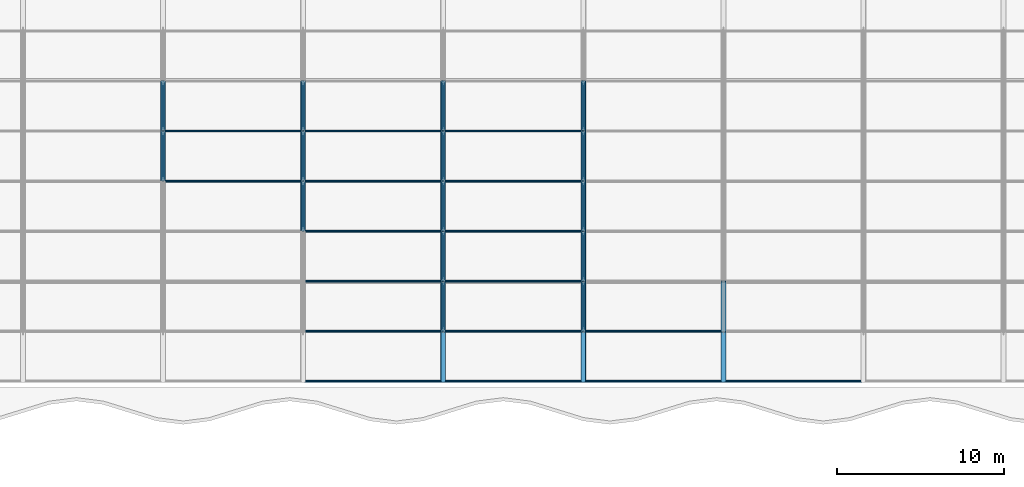
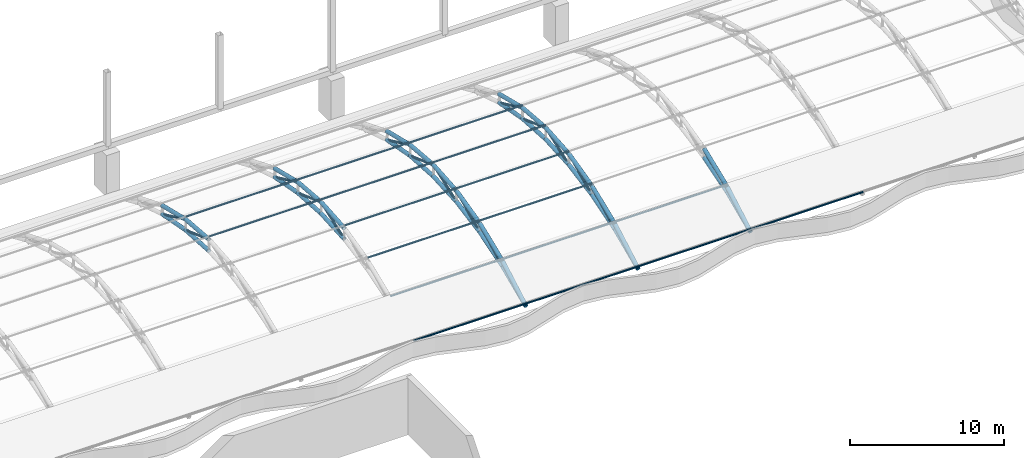
# One storey, part 52 of 163: 70 members.
"""IFC4 building model written with IfcOpenShell, lengths in metres."""

from ifc_helpers import new_model, si_unit, direction, frame, origin, origin_2d, place, context, subcontext, project, spatial, hollow_circle, extrude, material, material_profile, profile_set, type_object, element, save


model = new_model("IFC4")

# Units and contexts
model_context = context("Model", 3, precision=1e-05, world=origin(), true_north=direction((0.0, 1.0)))
body_context = subcontext(model_context, "Body", "Model", "MODEL_VIEW")
ifc_project = project(units=[si_unit("LENGTHUNIT", "METRE"), si_unit("AREAUNIT", "SQUARE_METRE"), si_unit("VOLUMEUNIT", "CUBIC_METRE"), si_unit("PLANEANGLEUNIT", "RADIAN"), si_unit("MASSUNIT", "GRAM", prefix="KILO")], contexts=[model_context])

# Site, building, storey
site_placement = place(None, origin())
site = spatial("IfcSite", under=ifc_project, at=site_placement, CompositionType="ELEMENT")
building_placement = place(site_placement, origin())
building = spatial("IfcBuilding", under=site, at=building_placement, Name="Rain Tree Exposition and Congress Centre", CompositionType="ELEMENT")
storey_placement = place(building_placement, frame((0.0, 0.0, 10.5)))
storey = spatial("IfcBuildingStorey", under=building, at=storey_placement, Name="L02", CompositionType="ELEMENT", Elevation=10.5)

# Members
ifc_material_1 = material(Name="Steel S355J2H", Category="steel")
ifc_material_profile_1 = material_profile(ifc_material_1, hollow_circle(Radius=0.090087890625, WallThickness=0.008056640625, at=origin_2d()), Name="CHS 180x8")
ifc_profile_set_1 = profile_set([ifc_material_profile_1], Name="Steel S355J2H")
member_type_1 = type_object("IfcMemberType", Name="Steel brace member CHS 180x8", PredefinedType="BRACE", material=ifc_profile_set_1)
member_1_placement = place(storey_placement, frame((210.0, 90.60009765625, 2.9423828125), z_axis=(0.0, -0.940121356633, 0.340839896143), x_axis=(1.0, 0.0, 0.0)))
element("IfcMember", 1, at=member_1_placement, inside=storey, type_object=member_type_1, Name="Roof truss 26 diagonal 4", PredefinedType="BRACE", context=body_context, shape_type="SweptSolid", body=[
    extrude(hollow_circle(Radius=0.090087890625, WallThickness=0.008056640625, at=origin_2d()), origin(), (0.0, 0.0, 1.0), 3.191162109375),
])
member_2_placement = place(storey_placement, frame((210.0, 93.60009765625, 2.3798828125), z_axis=(0.0, -0.905430616583, 0.424494285655), x_axis=(1.0, 0.0, 0.0)))
element("IfcMember", 2, at=member_2_placement, inside=storey, type_object=member_type_1, Name="Roof truss 26 diagonal 5", PredefinedType="BRACE", context=body_context, shape_type="SweptSolid", body=[
    extrude(hollow_circle(Radius=0.090087890625, WallThickness=0.008056640625, at=origin_2d()), origin(), (0.0, 0.0, 1.0), 3.313232421875),
])
for number, where, z_axis, x_axis, name in (
    (3, (218.39990234375, 84.60009765625, 2.9423828125), (0.0, 0.940121356633, 0.340839896143), (-1.0, 0.0, 0.0), "Roof truss 27 diagonal 3"),
    (4, (218.39990234375, 90.60009765625, 2.9423828125), (0.0, -0.940121356633, 0.340839896143), (1.0, 0.0, 0.0), "Roof truss 27 diagonal 4"),
):
    element("IfcMember", number, at=place(storey_placement, frame(where, z_axis=z_axis, x_axis=x_axis)), inside=storey, type_object=member_type_1, Name=name, PredefinedType="BRACE", context=body_context, shape_type="SweptSolid", body=[
        extrude(hollow_circle(Radius=0.090087890625, WallThickness=0.008056640625, at=origin_2d()), origin(), (0.0, 0.0, 1.0), 3.191162109375),
    ])
member_3_placement = place(storey_placement, frame((218.39990234375, 93.60009765625, 2.3798828125), z_axis=(0.0, -0.905430616583, 0.424494285655), x_axis=(1.0, 0.0, 0.0)))
element("IfcMember", 5, at=member_3_placement, inside=storey, type_object=member_type_1, Name="Roof truss 27 diagonal 5", PredefinedType="BRACE", context=body_context, shape_type="SweptSolid", body=[
    extrude(hollow_circle(Radius=0.090087890625, WallThickness=0.008056640625, at=origin_2d()), origin(), (0.0, 0.0, 1.0), 3.313232421875),
])
member_4_placement = place(storey_placement, frame((226.800048828125, 78.60009765625, 1.4423828125), z_axis=(0.0, 0.880818418444, 0.473454236151), x_axis=(-1.0, 0.0, 0.0)))
element("IfcMember", 6, at=member_4_placement, inside=storey, type_object=member_type_1, Name="Roof truss 28 diagonal 1", PredefinedType="BRACE", context=body_context, shape_type="SweptSolid", body=[
    extrude(hollow_circle(Radius=0.090087890625, WallThickness=0.008056640625, at=origin_2d()), origin(), (0.0, 0.0, 1.0), 3.406005859375),
])
member_5_placement = place(storey_placement, frame((226.800048828125, 81.60009765625, 2.3798828125), z_axis=(0.0, 0.905430616583, 0.424494285655), x_axis=(-1.0, 0.0, 0.0)))
element("IfcMember", 7, at=member_5_placement, inside=storey, type_object=member_type_1, Name="Roof truss 28 diagonal 2", PredefinedType="BRACE", context=body_context, shape_type="SweptSolid", body=[
    extrude(hollow_circle(Radius=0.090087890625, WallThickness=0.008056640625, at=origin_2d()), origin(), (0.0, 0.0, 1.0), 3.313232421875),
])
for number, where, z_axis, x_axis, name in (
    (8, (226.800048828125, 84.60009765625, 2.9423828125), (0.0, 0.940121356633, 0.340839896143), (-1.0, 0.0, 0.0), "Roof truss 28 diagonal 3"),
    (9, (226.800048828125, 90.60009765625, 2.9423828125), (0.0, -0.940121356633, 0.340839896143), (1.0, 0.0, 0.0), "Roof truss 28 diagonal 4"),
):
    element("IfcMember", number, at=place(storey_placement, frame(where, z_axis=z_axis, x_axis=x_axis)), inside=storey, type_object=member_type_1, Name=name, PredefinedType="BRACE", context=body_context, shape_type="SweptSolid", body=[
        extrude(hollow_circle(Radius=0.090087890625, WallThickness=0.008056640625, at=origin_2d()), origin(), (0.0, 0.0, 1.0), 3.191162109375),
    ])
member_6_placement = place(storey_placement, frame((226.800048828125, 93.60009765625, 2.3798828125), z_axis=(0.0, -0.905430616583, 0.424494285655), x_axis=(1.0, 0.0, 0.0)))
element("IfcMember", 10, at=member_6_placement, inside=storey, type_object=member_type_1, Name="Roof truss 28 diagonal 5", PredefinedType="BRACE", context=body_context, shape_type="SweptSolid", body=[
    extrude(hollow_circle(Radius=0.090087890625, WallThickness=0.008056640625, at=origin_2d()), origin(), (0.0, 0.0, 1.0), 3.313232421875),
])
member_7_placement = place(storey_placement, frame((235.199951171875, 78.60009765625, 1.4423828125), z_axis=(0.0, 0.880818418444, 0.473454236151), x_axis=(-1.0, 0.0, 0.0)))
element("IfcMember", 11, at=member_7_placement, inside=storey, type_object=member_type_1, Name="Roof truss 29 diagonal 1", PredefinedType="BRACE", context=body_context, shape_type="SweptSolid", body=[
    extrude(hollow_circle(Radius=0.090087890625, WallThickness=0.008056640625, at=origin_2d()), origin(), (0.0, 0.0, 1.0), 3.406005859375),
])
member_8_placement = place(storey_placement, frame((235.199951171875, 81.60009765625, 2.3798828125), z_axis=(0.0, 0.905430616583, 0.424494285655), x_axis=(-1.0, 0.0, 0.0)))
element("IfcMember", 12, at=member_8_placement, inside=storey, type_object=member_type_1, Name="Roof truss 29 diagonal 2", PredefinedType="BRACE", context=body_context, shape_type="SweptSolid", body=[
    extrude(hollow_circle(Radius=0.090087890625, WallThickness=0.008056640625, at=origin_2d()), origin(), (0.0, 0.0, 1.0), 3.313232421875),
])
for number, where, z_axis, x_axis, name in (
    (13, (235.199951171875, 84.60009765625, 2.9423828125), (0.0, 0.940121356633, 0.340839896143), (-1.0, 0.0, 0.0), "Roof truss 29 diagonal 3"),
    (14, (235.199951171875, 90.60009765625, 2.9423828125), (0.0, -0.940121356633, 0.340839896143), (1.0, 0.0, 0.0), "Roof truss 29 diagonal 4"),
):
    element("IfcMember", number, at=place(storey_placement, frame(where, z_axis=z_axis, x_axis=x_axis)), inside=storey, type_object=member_type_1, Name=name, PredefinedType="BRACE", context=body_context, shape_type="SweptSolid", body=[
        extrude(hollow_circle(Radius=0.090087890625, WallThickness=0.008056640625, at=origin_2d()), origin(), (0.0, 0.0, 1.0), 3.191162109375),
    ])
member_9_placement = place(storey_placement, frame((235.199951171875, 93.60009765625, 2.3798828125), z_axis=(0.0, -0.905430616583, 0.424494285655), x_axis=(1.0, 0.0, 0.0)))
element("IfcMember", 15, at=member_9_placement, inside=storey, type_object=member_type_1, Name="Roof truss 29 diagonal 5", PredefinedType="BRACE", context=body_context, shape_type="SweptSolid", body=[
    extrude(hollow_circle(Radius=0.090087890625, WallThickness=0.008056640625, at=origin_2d()), origin(), (0.0, 0.0, 1.0), 3.313232421875),
])
ifc_material_2 = material(Name="Steel S355J2H", Category="steel")
ifc_material_profile_2 = material_profile(ifc_material_2, hollow_circle(Radius=0.14990234375, WallThickness=0.013916015625, at=origin_2d()), Name="CHS 300x14")
ifc_profile_set_2 = profile_set([ifc_material_profile_2], Name="Steel S355J2H")
member_type_2 = type_object("IfcMemberType", Name="Steel chord member CHS 300x14", PredefinedType="CHORD", material=ifc_profile_set_2)
member_10_placement = place(storey_placement, frame((210.0, 87.60009765625, 4.030029296875), z_axis=(0.0, 0.996718090462, -0.0809508996), x_axis=(-1.0, 0.0, 0.0)))
element("IfcMember", 16, at=member_10_placement, inside=storey, type_object=member_type_2, Name="Roof truss 26 top chord 5", PredefinedType="CHORD", context=body_context, shape_type="SweptSolid", body=[
    extrude(hollow_circle(Radius=0.14990234375, WallThickness=0.013916015625, at=origin_2d()), origin(), (0.0, 0.0, 1.0), 3.009765625),
])
member_11_placement = place(storey_placement, frame((210.0, 87.60009765625, 3.1298828125), z_axis=(0.0, 0.998052578483, -0.062378286155), x_axis=(-1.0, 0.0, 0.0)))
element("IfcMember", 17, at=member_11_placement, inside=storey, type_object=member_type_2, Name="Roof truss 26 bottom chord 5", PredefinedType="CHORD", context=body_context, shape_type="SweptSolid", body=[
    extrude(hollow_circle(Radius=0.14990234375, WallThickness=0.013916015625, at=origin_2d()), origin(), (0.0, 0.0, 1.0), 3.005859375),
])
member_12_placement = place(storey_placement, frame((210.0, 90.60009765625, 3.786376953125), z_axis=(0.0, 0.971539868448, -0.236876094228), x_axis=(-1.0, 0.0, 0.0)))
element("IfcMember", 18, at=member_12_placement, inside=storey, type_object=member_type_2, Name="Roof truss 26 top chord 6", PredefinedType="CHORD", context=body_context, shape_type="SweptSolid", body=[
    extrude(hollow_circle(Radius=0.14990234375, WallThickness=0.013916015625, at=origin_2d()), origin(), (0.0, 0.0, 1.0), 3.087890625),
])
member_13_placement = place(storey_placement, frame((210.0, 90.60009765625, 2.9423828125), z_axis=(0.0, 0.982872186934, -0.18428853505), x_axis=(-1.0, 0.0, 0.0)))
element("IfcMember", 19, at=member_13_placement, inside=storey, type_object=member_type_2, Name="Roof truss 26 bottom chord 6", PredefinedType="CHORD", context=body_context, shape_type="SweptSolid", body=[
    extrude(hollow_circle(Radius=0.14990234375, WallThickness=0.013916015625, at=origin_2d()), origin(), (0.0, 0.0, 1.0), 3.05224609375),
])
member_14_placement = place(storey_placement, frame((218.39990234375, 84.60009765625, 3.786376953125), z_axis=(0.0, 0.996718090462, 0.0809508996), x_axis=(-1.0, 0.0, 0.0)))
element("IfcMember", 20, at=member_14_placement, inside=storey, type_object=member_type_2, Name="Roof truss 27 top chord 4", PredefinedType="CHORD", context=body_context, shape_type="SweptSolid", body=[
    extrude(hollow_circle(Radius=0.14990234375, WallThickness=0.013916015625, at=origin_2d()), origin(), (0.0, 0.0, 1.0), 3.009765625),
])
member_15_placement = place(storey_placement, frame((218.39990234375, 84.60009765625, 2.9423828125), z_axis=(0.0, 0.998052578483, 0.062378286155), x_axis=(-1.0, 0.0, 0.0)))
element("IfcMember", 21, at=member_15_placement, inside=storey, type_object=member_type_2, Name="Roof truss 27 bottom chord 4", PredefinedType="CHORD", context=body_context, shape_type="SweptSolid", body=[
    extrude(hollow_circle(Radius=0.14990234375, WallThickness=0.013916015625, at=origin_2d()), origin(), (0.0, 0.0, 1.0), 3.005859375),
])
member_16_placement = place(storey_placement, frame((218.39990234375, 87.60009765625, 4.030029296875), z_axis=(0.0, 0.996718090462, -0.0809508996), x_axis=(-1.0, 0.0, 0.0)))
element("IfcMember", 22, at=member_16_placement, inside=storey, type_object=member_type_2, Name="Roof truss 27 top chord 5", PredefinedType="CHORD", context=body_context, shape_type="SweptSolid", body=[
    extrude(hollow_circle(Radius=0.14990234375, WallThickness=0.013916015625, at=origin_2d()), origin(), (0.0, 0.0, 1.0), 3.009765625),
])
member_17_placement = place(storey_placement, frame((218.39990234375, 87.60009765625, 3.1298828125), z_axis=(0.0, 0.998052578483, -0.062378286155), x_axis=(-1.0, 0.0, 0.0)))
element("IfcMember", 23, at=member_17_placement, inside=storey, type_object=member_type_2, Name="Roof truss 27 bottom chord 5", PredefinedType="CHORD", context=body_context, shape_type="SweptSolid", body=[
    extrude(hollow_circle(Radius=0.14990234375, WallThickness=0.013916015625, at=origin_2d()), origin(), (0.0, 0.0, 1.0), 3.005859375),
])
member_18_placement = place(storey_placement, frame((218.39990234375, 90.60009765625, 3.786376953125), z_axis=(0.0, 0.971539868448, -0.236876094228), x_axis=(-1.0, 0.0, 0.0)))
element("IfcMember", 24, at=member_18_placement, inside=storey, type_object=member_type_2, Name="Roof truss 27 top chord 6", PredefinedType="CHORD", context=body_context, shape_type="SweptSolid", body=[
    extrude(hollow_circle(Radius=0.14990234375, WallThickness=0.013916015625, at=origin_2d()), origin(), (0.0, 0.0, 1.0), 3.087890625),
])
member_19_placement = place(storey_placement, frame((218.39990234375, 90.60009765625, 2.9423828125), z_axis=(0.0, 0.982872186934, -0.18428853505), x_axis=(-1.0, 0.0, 0.0)))
element("IfcMember", 25, at=member_19_placement, inside=storey, type_object=member_type_2, Name="Roof truss 27 bottom chord 6", PredefinedType="CHORD", context=body_context, shape_type="SweptSolid", body=[
    extrude(hollow_circle(Radius=0.14990234375, WallThickness=0.013916015625, at=origin_2d()), origin(), (0.0, 0.0, 1.0), 3.05224609375),
])
member_20_placement = place(storey_placement, frame((226.800048828125, 75.60009765625, 0.1298828125), z_axis=(0.0, 0.869238262324, 0.494393409455), x_axis=(-1.0, 0.0, 0.0)))
element("IfcMember", 26, at=member_20_placement, inside=storey, type_object=member_type_2, Name="Roof truss 28 top chord 1", PredefinedType="CHORD", context=body_context, shape_type="SweptSolid", body=[
    extrude(hollow_circle(Radius=0.14990234375, WallThickness=0.013916015625, at=origin_2d()), origin(), (0.0, 0.0, 1.0), 3.451416015625),
])
member_21_placement = place(storey_placement, frame((226.800048828125, 75.60009765625, 0.1298828125), z_axis=(0.0, 0.916157334902, 0.40081883402), x_axis=(-1.0, 0.0, 0.0)))
element("IfcMember", 27, at=member_21_placement, inside=storey, type_object=member_type_2, Name="Roof truss 28 bottom chord 1", PredefinedType="CHORD", context=body_context, shape_type="SweptSolid", body=[
    extrude(hollow_circle(Radius=0.14990234375, WallThickness=0.013916015625, at=origin_2d()), origin(), (0.0, 0.0, 1.0), 3.274658203125),
])
member_22_placement = place(storey_placement, frame((226.800048828125, 78.60009765625, 1.836181640625), z_axis=(0.0, 0.926466577122, 0.376377046956), x_axis=(-1.0, 0.0, 0.0)))
element("IfcMember", 28, at=member_22_placement, inside=storey, type_object=member_type_2, Name="Roof truss 28 top chord 2", PredefinedType="CHORD", context=body_context, shape_type="SweptSolid", body=[
    extrude(hollow_circle(Radius=0.14990234375, WallThickness=0.013916015625, at=origin_2d()), origin(), (0.0, 0.0, 1.0), 3.238037109375),
])
member_23_placement = place(storey_placement, frame((226.800048828125, 78.60009765625, 1.4423828125), z_axis=(0.0, 0.954479978035, 0.298274993136), x_axis=(-1.0, 0.0, 0.0)))
element("IfcMember", 29, at=member_23_placement, inside=storey, type_object=member_type_2, Name="Roof truss 28 bottom chord 2", PredefinedType="CHORD", context=body_context, shape_type="SweptSolid", body=[
    extrude(hollow_circle(Radius=0.14990234375, WallThickness=0.013916015625, at=origin_2d()), origin(), (0.0, 0.0, 1.0), 3.14306640625),
])
member_24_placement = place(storey_placement, frame((226.800048828125, 81.60009765625, 3.054931640625), z_axis=(0.0, 0.971539868448, 0.236876094228), x_axis=(-1.0, 0.0, 0.0)))
element("IfcMember", 30, at=member_24_placement, inside=storey, type_object=member_type_2, Name="Roof truss 28 top chord 3", PredefinedType="CHORD", context=body_context, shape_type="SweptSolid", body=[
    extrude(hollow_circle(Radius=0.14990234375, WallThickness=0.013916015625, at=origin_2d()), origin(), (0.0, 0.0, 1.0), 3.087890625),
])
member_25_placement = place(storey_placement, frame((226.800048828125, 81.60009765625, 2.3798828125), z_axis=(0.0, 0.982872186934, 0.18428853505), x_axis=(-1.0, 0.0, 0.0)))
element("IfcMember", 31, at=member_25_placement, inside=storey, type_object=member_type_2, Name="Roof truss 28 bottom chord 3", PredefinedType="CHORD", context=body_context, shape_type="SweptSolid", body=[
    extrude(hollow_circle(Radius=0.14990234375, WallThickness=0.013916015625, at=origin_2d()), origin(), (0.0, 0.0, 1.0), 3.05224609375),
])
member_26_placement = place(storey_placement, frame((226.800048828125, 84.60009765625, 3.786376953125), z_axis=(0.0, 0.996718090462, 0.0809508996), x_axis=(-1.0, 0.0, 0.0)))
element("IfcMember", 32, at=member_26_placement, inside=storey, type_object=member_type_2, Name="Roof truss 28 top chord 4", PredefinedType="CHORD", context=body_context, shape_type="SweptSolid", body=[
    extrude(hollow_circle(Radius=0.14990234375, WallThickness=0.013916015625, at=origin_2d()), origin(), (0.0, 0.0, 1.0), 3.009765625),
])
member_27_placement = place(storey_placement, frame((226.800048828125, 84.60009765625, 2.9423828125), z_axis=(0.0, 0.998052578483, 0.062378286155), x_axis=(-1.0, 0.0, 0.0)))
element("IfcMember", 33, at=member_27_placement, inside=storey, type_object=member_type_2, Name="Roof truss 28 bottom chord 4", PredefinedType="CHORD", context=body_context, shape_type="SweptSolid", body=[
    extrude(hollow_circle(Radius=0.14990234375, WallThickness=0.013916015625, at=origin_2d()), origin(), (0.0, 0.0, 1.0), 3.005859375),
])
member_28_placement = place(storey_placement, frame((226.800048828125, 87.60009765625, 4.030029296875), z_axis=(0.0, 0.996718090462, -0.0809508996), x_axis=(-1.0, 0.0, 0.0)))
element("IfcMember", 34, at=member_28_placement, inside=storey, type_object=member_type_2, Name="Roof truss 28 top chord 5", PredefinedType="CHORD", context=body_context, shape_type="SweptSolid", body=[
    extrude(hollow_circle(Radius=0.14990234375, WallThickness=0.013916015625, at=origin_2d()), origin(), (0.0, 0.0, 1.0), 3.009765625),
])
member_29_placement = place(storey_placement, frame((226.800048828125, 87.60009765625, 3.1298828125), z_axis=(0.0, 0.998052578483, -0.062378286155), x_axis=(-1.0, 0.0, 0.0)))
element("IfcMember", 35, at=member_29_placement, inside=storey, type_object=member_type_2, Name="Roof truss 28 bottom chord 5", PredefinedType="CHORD", context=body_context, shape_type="SweptSolid", body=[
    extrude(hollow_circle(Radius=0.14990234375, WallThickness=0.013916015625, at=origin_2d()), origin(), (0.0, 0.0, 1.0), 3.005859375),
])
member_30_placement = place(storey_placement, frame((226.800048828125, 90.60009765625, 3.786376953125), z_axis=(0.0, 0.971539868448, -0.236876094228), x_axis=(-1.0, 0.0, 0.0)))
element("IfcMember", 36, at=member_30_placement, inside=storey, type_object=member_type_2, Name="Roof truss 28 top chord 6", PredefinedType="CHORD", context=body_context, shape_type="SweptSolid", body=[
    extrude(hollow_circle(Radius=0.14990234375, WallThickness=0.013916015625, at=origin_2d()), origin(), (0.0, 0.0, 1.0), 3.087890625),
])
member_31_placement = place(storey_placement, frame((226.800048828125, 90.60009765625, 2.9423828125), z_axis=(0.0, 0.982872186934, -0.18428853505), x_axis=(-1.0, 0.0, 0.0)))
element("IfcMember", 37, at=member_31_placement, inside=storey, type_object=member_type_2, Name="Roof truss 28 bottom chord 6", PredefinedType="CHORD", context=body_context, shape_type="SweptSolid", body=[
    extrude(hollow_circle(Radius=0.14990234375, WallThickness=0.013916015625, at=origin_2d()), origin(), (0.0, 0.0, 1.0), 3.05224609375),
])
member_32_placement = place(storey_placement, frame((235.199951171875, 75.60009765625, 0.1298828125), z_axis=(0.0, 0.869238262324, 0.494393409455), x_axis=(-1.0, 0.0, 0.0)))
element("IfcMember", 38, at=member_32_placement, inside=storey, type_object=member_type_2, Name="Roof truss 29 top chord 1", PredefinedType="CHORD", context=body_context, shape_type="SweptSolid", body=[
    extrude(hollow_circle(Radius=0.14990234375, WallThickness=0.013916015625, at=origin_2d()), origin(), (0.0, 0.0, 1.0), 3.451416015625),
])
member_33_placement = place(storey_placement, frame((235.199951171875, 75.60009765625, 0.1298828125), z_axis=(0.0, 0.916157334902, 0.40081883402), x_axis=(-1.0, 0.0, 0.0)))
element("IfcMember", 39, at=member_33_placement, inside=storey, type_object=member_type_2, Name="Roof truss 29 bottom chord 1", PredefinedType="CHORD", context=body_context, shape_type="SweptSolid", body=[
    extrude(hollow_circle(Radius=0.14990234375, WallThickness=0.013916015625, at=origin_2d()), origin(), (0.0, 0.0, 1.0), 3.274658203125),
])
member_34_placement = place(storey_placement, frame((235.199951171875, 78.60009765625, 1.836181640625), z_axis=(0.0, 0.926466577122, 0.376377046956), x_axis=(-1.0, 0.0, 0.0)))
element("IfcMember", 40, at=member_34_placement, inside=storey, type_object=member_type_2, Name="Roof truss 29 top chord 2", PredefinedType="CHORD", context=body_context, shape_type="SweptSolid", body=[
    extrude(hollow_circle(Radius=0.14990234375, WallThickness=0.013916015625, at=origin_2d()), origin(), (0.0, 0.0, 1.0), 3.238037109375),
])
member_35_placement = place(storey_placement, frame((235.199951171875, 78.60009765625, 1.4423828125), z_axis=(0.0, 0.954479978035, 0.298274993136), x_axis=(-1.0, 0.0, 0.0)))
element("IfcMember", 41, at=member_35_placement, inside=storey, type_object=member_type_2, Name="Roof truss 29 bottom chord 2", PredefinedType="CHORD", context=body_context, shape_type="SweptSolid", body=[
    extrude(hollow_circle(Radius=0.14990234375, WallThickness=0.013916015625, at=origin_2d()), origin(), (0.0, 0.0, 1.0), 3.14306640625),
])
member_36_placement = place(storey_placement, frame((235.199951171875, 81.60009765625, 3.054931640625), z_axis=(0.0, 0.971539868448, 0.236876094228), x_axis=(-1.0, 0.0, 0.0)))
element("IfcMember", 42, at=member_36_placement, inside=storey, type_object=member_type_2, Name="Roof truss 29 top chord 3", PredefinedType="CHORD", context=body_context, shape_type="SweptSolid", body=[
    extrude(hollow_circle(Radius=0.14990234375, WallThickness=0.013916015625, at=origin_2d()), origin(), (0.0, 0.0, 1.0), 3.087890625),
])
member_37_placement = place(storey_placement, frame((235.199951171875, 81.60009765625, 2.3798828125), z_axis=(0.0, 0.982872186934, 0.18428853505), x_axis=(-1.0, 0.0, 0.0)))
element("IfcMember", 43, at=member_37_placement, inside=storey, type_object=member_type_2, Name="Roof truss 29 bottom chord 3", PredefinedType="CHORD", context=body_context, shape_type="SweptSolid", body=[
    extrude(hollow_circle(Radius=0.14990234375, WallThickness=0.013916015625, at=origin_2d()), origin(), (0.0, 0.0, 1.0), 3.05224609375),
])
member_38_placement = place(storey_placement, frame((235.199951171875, 84.60009765625, 3.786376953125), z_axis=(0.0, 0.996718090462, 0.0809508996), x_axis=(-1.0, 0.0, 0.0)))
element("IfcMember", 44, at=member_38_placement, inside=storey, type_object=member_type_2, Name="Roof truss 29 top chord 4", PredefinedType="CHORD", context=body_context, shape_type="SweptSolid", body=[
    extrude(hollow_circle(Radius=0.14990234375, WallThickness=0.013916015625, at=origin_2d()), origin(), (0.0, 0.0, 1.0), 3.009765625),
])
member_39_placement = place(storey_placement, frame((235.199951171875, 84.60009765625, 2.9423828125), z_axis=(0.0, 0.998052578483, 0.062378286155), x_axis=(-1.0, 0.0, 0.0)))
element("IfcMember", 45, at=member_39_placement, inside=storey, type_object=member_type_2, Name="Roof truss 29 bottom chord 4", PredefinedType="CHORD", context=body_context, shape_type="SweptSolid", body=[
    extrude(hollow_circle(Radius=0.14990234375, WallThickness=0.013916015625, at=origin_2d()), origin(), (0.0, 0.0, 1.0), 3.005859375),
])
member_40_placement = place(storey_placement, frame((235.199951171875, 87.60009765625, 4.030029296875), z_axis=(0.0, 0.996718090462, -0.0809508996), x_axis=(-1.0, 0.0, 0.0)))
element("IfcMember", 46, at=member_40_placement, inside=storey, type_object=member_type_2, Name="Roof truss 29 top chord 5", PredefinedType="CHORD", context=body_context, shape_type="SweptSolid", body=[
    extrude(hollow_circle(Radius=0.14990234375, WallThickness=0.013916015625, at=origin_2d()), origin(), (0.0, 0.0, 1.0), 3.009765625),
])
member_41_placement = place(storey_placement, frame((235.199951171875, 87.60009765625, 3.1298828125), z_axis=(0.0, 0.998052578483, -0.062378286155), x_axis=(-1.0, 0.0, 0.0)))
element("IfcMember", 47, at=member_41_placement, inside=storey, type_object=member_type_2, Name="Roof truss 29 bottom chord 5", PredefinedType="CHORD", context=body_context, shape_type="SweptSolid", body=[
    extrude(hollow_circle(Radius=0.14990234375, WallThickness=0.013916015625, at=origin_2d()), origin(), (0.0, 0.0, 1.0), 3.005859375),
])
member_42_placement = place(storey_placement, frame((235.199951171875, 90.60009765625, 3.786376953125), z_axis=(0.0, 0.971539868448, -0.236876094228), x_axis=(-1.0, 0.0, 0.0)))
element("IfcMember", 48, at=member_42_placement, inside=storey, type_object=member_type_2, Name="Roof truss 29 top chord 6", PredefinedType="CHORD", context=body_context, shape_type="SweptSolid", body=[
    extrude(hollow_circle(Radius=0.14990234375, WallThickness=0.013916015625, at=origin_2d()), origin(), (0.0, 0.0, 1.0), 3.087890625),
])
member_43_placement = place(storey_placement, frame((235.199951171875, 90.60009765625, 2.9423828125), z_axis=(0.0, 0.982872186934, -0.18428853505), x_axis=(-1.0, 0.0, 0.0)))
element("IfcMember", 49, at=member_43_placement, inside=storey, type_object=member_type_2, Name="Roof truss 29 bottom chord 6", PredefinedType="CHORD", context=body_context, shape_type="SweptSolid", body=[
    extrude(hollow_circle(Radius=0.14990234375, WallThickness=0.013916015625, at=origin_2d()), origin(), (0.0, 0.0, 1.0), 3.05224609375),
])
member_44_placement = place(storey_placement, frame((243.60009765625, 75.60009765625, 0.1298828125), z_axis=(0.0, 0.869238262324, 0.494393409455), x_axis=(-1.0, 0.0, 0.0)))
element("IfcMember", 50, at=member_44_placement, inside=storey, type_object=member_type_2, Name="Roof truss 30 top chord 1", PredefinedType="CHORD", context=body_context, shape_type="SweptSolid", body=[
    extrude(hollow_circle(Radius=0.14990234375, WallThickness=0.013916015625, at=origin_2d()), origin(), (0.0, 0.0, 1.0), 3.451416015625),
])
member_45_placement = place(storey_placement, frame((243.60009765625, 75.60009765625, 0.1298828125), z_axis=(0.0, 0.916157334902, 0.40081883402), x_axis=(-1.0, 0.0, 0.0)))
element("IfcMember", 51, at=member_45_placement, inside=storey, type_object=member_type_2, Name="Roof truss 30 bottom chord 1", PredefinedType="CHORD", context=body_context, shape_type="SweptSolid", body=[
    extrude(hollow_circle(Radius=0.14990234375, WallThickness=0.013916015625, at=origin_2d()), origin(), (0.0, 0.0, 1.0), 3.274658203125),
])
member_46_placement = place(storey_placement, frame((243.60009765625, 78.60009765625, 1.836181640625), z_axis=(0.0, 0.926466577122, 0.376377046956), x_axis=(-1.0, 0.0, 0.0)))
element("IfcMember", 52, at=member_46_placement, inside=storey, type_object=member_type_2, Name="Roof truss 30 top chord 2", PredefinedType="CHORD", context=body_context, shape_type="SweptSolid", body=[
    extrude(hollow_circle(Radius=0.14990234375, WallThickness=0.013916015625, at=origin_2d()), origin(), (0.0, 0.0, 1.0), 3.238037109375),
])
member_47_placement = place(storey_placement, frame((243.60009765625, 78.60009765625, 1.4423828125), z_axis=(0.0, 0.954479978035, 0.298274993136), x_axis=(-1.0, 0.0, 0.0)))
element("IfcMember", 53, at=member_47_placement, inside=storey, type_object=member_type_2, Name="Roof truss 30 bottom chord 2", PredefinedType="CHORD", context=body_context, shape_type="SweptSolid", body=[
    extrude(hollow_circle(Radius=0.14990234375, WallThickness=0.013916015625, at=origin_2d()), origin(), (0.0, 0.0, 1.0), 3.14306640625),
])
ifc_material_3 = material(Name="Steel S355J2H", Category="steel")
ifc_material_profile_3 = material_profile(ifc_material_3, hollow_circle(Radius=0.070068359375, WallThickness=0.006103515625, at=origin_2d()), Name="CHS 140x6")
ifc_profile_set_3 = profile_set([ifc_material_profile_3], Name="Steel S355J2H")
member_type_3 = type_object("IfcMemberType", Name="Steel purlin member CHS 140x6", PredefinedType="PURLIN", material=ifc_profile_set_3)
member_48_placement = place(storey_placement, frame((218.39990234375, 75.60009765625, 0.35009765625), z_axis=(1.0, 0.0, 0.0), x_axis=(0.0, 1.0, 0.0)))
element("IfcMember", 54, at=member_48_placement, inside=storey, type_object=member_type_3, Name="Roof purlin 1.27", PredefinedType="PURLIN", context=body_context, shape_type="SweptSolid", body=[
    extrude(hollow_circle(Radius=0.070068359375, WallThickness=0.006103515625, at=origin_2d()), origin(), (0.0, 0.0, 1.0), 8.400146484375),
])
member_49_placement = place(storey_placement, frame((226.800048828125, 75.60009765625, 0.35009765625), z_axis=(1.0, 0.0, 0.0), x_axis=(0.0, 1.0, 0.0)))
element("IfcMember", 55, at=member_49_placement, inside=storey, type_object=member_type_3, Name="Roof purlin 1.28", PredefinedType="PURLIN", context=body_context, shape_type="SweptSolid", body=[
    extrude(hollow_circle(Radius=0.070068359375, WallThickness=0.006103515625, at=origin_2d()), origin(), (0.0, 0.0, 1.0), 8.39990234375),
])
member_50_placement = place(storey_placement, frame((235.199951171875, 75.60009765625, 0.35009765625), z_axis=(1.0, 0.0, 0.0), x_axis=(0.0, 1.0, 0.0)))
element("IfcMember", 56, at=member_50_placement, inside=storey, type_object=member_type_3, Name="Roof purlin 1.29", PredefinedType="PURLIN", context=body_context, shape_type="SweptSolid", body=[
    extrude(hollow_circle(Radius=0.070068359375, WallThickness=0.006103515625, at=origin_2d()), origin(), (0.0, 0.0, 1.0), 8.400146484375),
])
member_51_placement = place(storey_placement, frame((243.60009765625, 75.60009765625, 0.35009765625), z_axis=(1.0, 0.0, 0.0), x_axis=(0.0, 1.0, 0.0)))
element("IfcMember", 57, at=member_51_placement, inside=storey, type_object=member_type_3, Name="Roof purlin 1.30", PredefinedType="PURLIN", context=body_context, shape_type="SweptSolid", body=[
    extrude(hollow_circle(Radius=0.070068359375, WallThickness=0.006103515625, at=origin_2d()), origin(), (0.0, 0.0, 1.0), 8.39990234375),
])
member_52_placement = place(storey_placement, frame((218.39990234375, 78.60009765625, 2.056396484375), z_axis=(1.0, 0.0, 0.0), x_axis=(0.0, 1.0, 0.0)))
element("IfcMember", 58, at=member_52_placement, inside=storey, type_object=member_type_3, Name="Roof purlin 2.27", PredefinedType="PURLIN", context=body_context, shape_type="SweptSolid", body=[
    extrude(hollow_circle(Radius=0.070068359375, WallThickness=0.006103515625, at=origin_2d()), origin(), (0.0, 0.0, 1.0), 8.400146484375),
])
member_53_placement = place(storey_placement, frame((226.800048828125, 78.60009765625, 2.056396484375), z_axis=(1.0, 0.0, 0.0), x_axis=(0.0, 1.0, 0.0)))
element("IfcMember", 59, at=member_53_placement, inside=storey, type_object=member_type_3, Name="Roof purlin 2.28", PredefinedType="PURLIN", context=body_context, shape_type="SweptSolid", body=[
    extrude(hollow_circle(Radius=0.070068359375, WallThickness=0.006103515625, at=origin_2d()), origin(), (0.0, 0.0, 1.0), 8.39990234375),
])
for number, where, z_axis, x_axis, name in (
    (60, (235.199951171875, 78.60009765625, 2.056396484375), (1.0, 0.0, 0.0), (0.0, 1.0, 0.0), "Roof purlin 2.29"),
    (61, (218.39990234375, 81.60009765625, 3.27490234375), (1.0, 0.0, 0.0), (0.0, 1.0, 0.0), "Roof purlin 3.27"),
):
    element("IfcMember", number, at=place(storey_placement, frame(where, z_axis=z_axis, x_axis=x_axis)), inside=storey, type_object=member_type_3, Name=name, PredefinedType="PURLIN", context=body_context, shape_type="SweptSolid", body=[
        extrude(hollow_circle(Radius=0.070068359375, WallThickness=0.006103515625, at=origin_2d()), origin(), (0.0, 0.0, 1.0), 8.400146484375),
    ])
member_54_placement = place(storey_placement, frame((226.800048828125, 81.60009765625, 3.27490234375), z_axis=(1.0, 0.0, 0.0), x_axis=(0.0, 1.0, 0.0)))
element("IfcMember", 62, at=member_54_placement, inside=storey, type_object=member_type_3, Name="Roof purlin 3.28", PredefinedType="PURLIN", context=body_context, shape_type="SweptSolid", body=[
    extrude(hollow_circle(Radius=0.070068359375, WallThickness=0.006103515625, at=origin_2d()), origin(), (0.0, 0.0, 1.0), 8.39990234375),
])
member_55_placement = place(storey_placement, frame((218.39990234375, 84.60009765625, 4.00634765625), z_axis=(1.0, 0.0, 0.0), x_axis=(0.0, 1.0, 0.0)))
element("IfcMember", 63, at=member_55_placement, inside=storey, type_object=member_type_3, Name="Roof purlin 4.27", PredefinedType="PURLIN", context=body_context, shape_type="SweptSolid", body=[
    extrude(hollow_circle(Radius=0.070068359375, WallThickness=0.006103515625, at=origin_2d()), origin(), (0.0, 0.0, 1.0), 8.400146484375),
])
for number, where, z_axis, x_axis, name in (
    (64, (226.800048828125, 84.60009765625, 4.00634765625), (1.0, 0.0, 0.0), (0.0, 1.0, 0.0), "Roof purlin 4.28"),
    (65, (210.0, 87.60009765625, 4.25), (1.0, 0.0, 0.0), (0.0, 1.0, 0.0), "Roof purlin 5.26"),
):
    element("IfcMember", number, at=place(storey_placement, frame(where, z_axis=z_axis, x_axis=x_axis)), inside=storey, type_object=member_type_3, Name=name, PredefinedType="PURLIN", context=body_context, shape_type="SweptSolid", body=[
        extrude(hollow_circle(Radius=0.070068359375, WallThickness=0.006103515625, at=origin_2d()), origin(), (0.0, 0.0, 1.0), 8.39990234375),
    ])
member_56_placement = place(storey_placement, frame((218.39990234375, 87.60009765625, 4.25), z_axis=(1.0, 0.0, 0.0), x_axis=(0.0, 1.0, 0.0)))
element("IfcMember", 66, at=member_56_placement, inside=storey, type_object=member_type_3, Name="Roof purlin 5.27", PredefinedType="PURLIN", context=body_context, shape_type="SweptSolid", body=[
    extrude(hollow_circle(Radius=0.070068359375, WallThickness=0.006103515625, at=origin_2d()), origin(), (0.0, 0.0, 1.0), 8.400146484375),
])
for number, where, z_axis, x_axis, name in (
    (67, (226.800048828125, 87.60009765625, 4.25), (1.0, 0.0, 0.0), (0.0, 1.0, 0.0), "Roof purlin 5.28"),
    (68, (210.0, 90.60009765625, 4.00634765625), (1.0, 0.0, 0.0), (0.0, 1.0, 0.0), "Roof purlin 6.26"),
):
    element("IfcMember", number, at=place(storey_placement, frame(where, z_axis=z_axis, x_axis=x_axis)), inside=storey, type_object=member_type_3, Name=name, PredefinedType="PURLIN", context=body_context, shape_type="SweptSolid", body=[
        extrude(hollow_circle(Radius=0.070068359375, WallThickness=0.006103515625, at=origin_2d()), origin(), (0.0, 0.0, 1.0), 8.39990234375),
    ])
member_57_placement = place(storey_placement, frame((218.39990234375, 90.60009765625, 4.00634765625), z_axis=(1.0, 0.0, 0.0), x_axis=(0.0, 1.0, 0.0)))
element("IfcMember", 69, at=member_57_placement, inside=storey, type_object=member_type_3, Name="Roof purlin 6.27", PredefinedType="PURLIN", context=body_context, shape_type="SweptSolid", body=[
    extrude(hollow_circle(Radius=0.070068359375, WallThickness=0.006103515625, at=origin_2d()), origin(), (0.0, 0.0, 1.0), 8.400146484375),
])
member_58_placement = place(storey_placement, frame((226.800048828125, 90.60009765625, 4.00634765625), z_axis=(1.0, 0.0, 0.0), x_axis=(0.0, 1.0, 0.0)))
element("IfcMember", 70, at=member_58_placement, inside=storey, type_object=member_type_3, Name="Roof purlin 6.28", PredefinedType="PURLIN", context=body_context, shape_type="SweptSolid", body=[
    extrude(hollow_circle(Radius=0.070068359375, WallThickness=0.006103515625, at=origin_2d()), origin(), (0.0, 0.0, 1.0), 8.39990234375),
])

save(model, "model.ifc")
